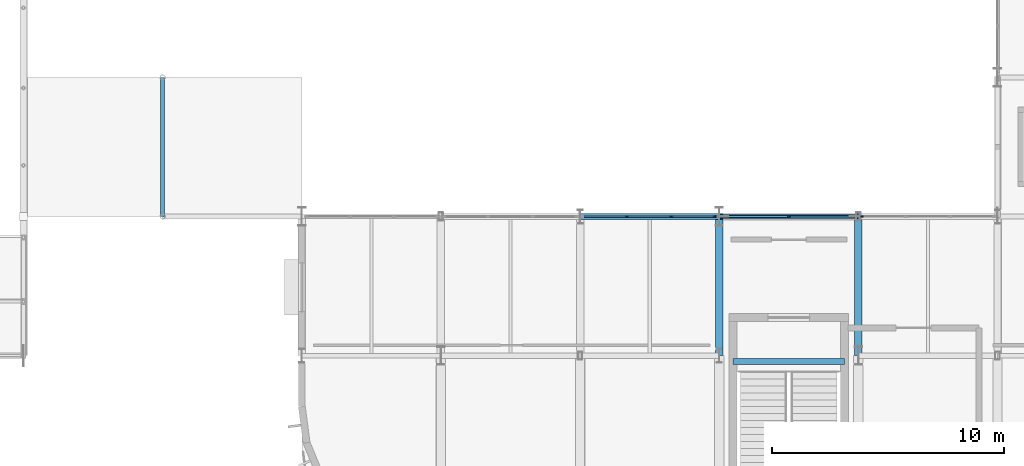
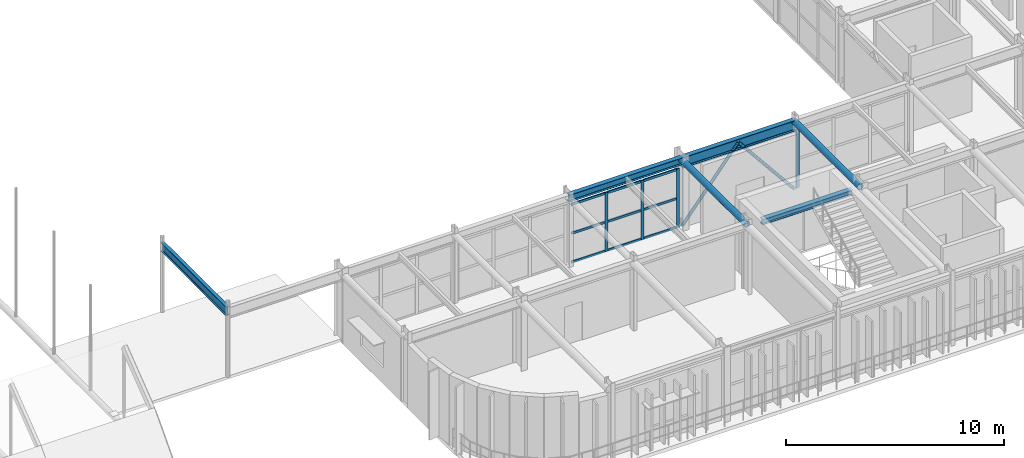
# One storey, part 58 of 116: 15 members, 6 beams, 2 elements without a shape of their own.
"""IFC4 building model written with IfcOpenShell, lengths in metres."""

import ifcopenshell
import ifcopenshell.guid

model = None  # the IFC model being written
_history = None  # IfcOwnerHistory: only IFC2X3 demands one
_inside = {}  # id of a spatial element -> (the spatial element, [elements in it])
_under = {}  # id of a project, library or spatial element -> (it, [spatial elements below it])
_declared = {}  # id of a project -> (the project, [libraries it declares])
_typed = {}  # id of a type object -> (the type object, [elements of that type])
_made_of = {}  # id of a material, layer set ... -> (it, [elements and type objects made of it])


def new_model(schema):
    """Start an empty IFC model of exactly this schema.

    Asked for "IFC4X3", IfcOpenShell would pick the latest addendum, in which some entities
    have other attributes; the version numbers below select the first issue.
    IFC2X3 requires an IfcOwnerHistory on every rooted entity: one is made here for all.
    """
    global model, _history
    if schema == "IFC4X3":
        model = ifcopenshell.file(schema_version=(4, 3, 0, 0))
    else:
        model = ifcopenshell.file(schema=schema)
    _inside.clear()
    _under.clear()
    _declared.clear()
    _typed.clear()
    _made_of.clear()
    _history = None
    if model.schema == "IFC2X3":
        org = make("IfcOrganization", Name="unknown")
        user = make(
            "IfcPersonAndOrganization",
            ThePerson=make("IfcPerson", FamilyName="unknown"),
            TheOrganization=org,
        )
        app = make(
            "IfcApplication",
            ApplicationDeveloper=org,
            Version="unknown",
            ApplicationFullName="unknown",
            ApplicationIdentifier="unknown",
        )
        _history = make(
            "IfcOwnerHistory",
            OwningUser=user,
            OwningApplication=app,
            ChangeAction="ADDED",
            CreationDate=0,
        )
    return model


def make(cls, **values):
    """One entity of the class cls with the attributes given. An attribute that is None is left unset."""
    return model.create_entity(
        cls, **{name: value for name, value in values.items() if value is not None}
    )


def rooted(cls, **values):
    """An entity with a GlobalId (a new one), such as an element, a storey or a relation."""
    return make(cls, GlobalId=ifcopenshell.guid.new(), OwnerHistory=_history, **values)


def si_unit(unit_type, name, prefix=None):
    """IfcSIUnit, for example si_unit("LENGTHUNIT", "METRE", prefix="MILLI")."""
    return make("IfcSIUnit", UnitType=unit_type, Prefix=prefix, Name=name)


def assignment(units):
    """IfcUnitAssignment: the units of a project."""
    return None if units is None else make("IfcUnitAssignment", Units=units)


def point(xyz):
    """IfcCartesianPoint."""
    return None if xyz is None else make("IfcCartesianPoint", Coordinates=xyz)


def direction(xyz):
    """IfcDirection."""
    return None if xyz is None else make("IfcDirection", DirectionRatios=xyz)


def frame(location, z_axis=None, x_axis=None):
    """IfcAxis2Placement3D, a coordinate frame: its origin and axes. An axis left out is left unset."""
    return make(
        "IfcAxis2Placement3D",
        Location=point(location),
        Axis=direction(z_axis),
        RefDirection=direction(x_axis),
    )


def frame_2d(location, x_axis=None):
    """IfcAxis2Placement2D, a coordinate frame in the plane: its origin and x axis."""
    return make(
        "IfcAxis2Placement2D", Location=point(location), RefDirection=direction(x_axis)
    )


def origin():
    """The frame at (0, 0, 0) with its axes left unset."""
    return frame((0.0, 0.0, 0.0))


def origin_2d():
    """The frame at (0, 0) in the plane with its x axis left unset."""
    return frame_2d((0.0, 0.0))


def place(relative_to, where):
    """IfcLocalPlacement: puts the frame where relative to a parent placement (None: the world)."""
    return make(
        "IfcLocalPlacement", PlacementRelTo=relative_to, RelativePlacement=where
    )


def context(
    kind, dimensions, precision=None, world=None, true_north=None, identifier=None
):
    """IfcGeometricRepresentationContext, for example the 3D "Model" context."""
    return make(
        "IfcGeometricRepresentationContext",
        ContextIdentifier=identifier,
        ContextType=kind,
        CoordinateSpaceDimension=dimensions,
        Precision=precision,
        WorldCoordinateSystem=world,
        TrueNorth=true_north,
    )


def subcontext(parent, identifier, kind, view, scale=None):
    """IfcGeometricRepresentationSubContext, for example "Body" below "Model"."""
    return make(
        "IfcGeometricRepresentationSubContext",
        ContextIdentifier=identifier,
        ContextType=kind,
        ParentContext=parent,
        TargetScale=scale,
        TargetView=view,
    )


def project(units=None, contexts=None):
    """IfcProject with its units and contexts."""
    return rooted(
        "IfcProject",
        Name="project",
        RepresentationContexts=contexts,
        UnitsInContext=assignment(units),
    )


def spatial(cls, under=None, at=None, **own):
    """A site, building, storey or space (cls), placed at a placement, below another one or the project."""
    s = rooted(cls, ObjectPlacement=at, **own)
    if under is not None:
        _under.setdefault(under.id(), (under, []))[1].append(s)
    return s


def profile(cls, at=None, kind="AREA", **sizes):
    """A parametric profile (cls). Its sizes go by their IFC names, for example OverallWidth=200.0."""
    return make(cls, ProfileType=kind, Position=at, **sizes)


def rectangle(**sizes):
    """IfcRectangleProfileDef."""
    return profile("IfcRectangleProfileDef", **sizes)


def hollow_circle(**sizes):
    """IfcCircleHollowProfileDef."""
    return profile("IfcCircleHollowProfileDef", **sizes)


def i_section(**sizes):
    """IfcIShapeProfileDef."""
    return profile("IfcIShapeProfileDef", **sizes)


def extrude(swept, where, along, depth):
    """IfcExtrudedAreaSolid: the profile swept, set in the frame where, extruded along a direction by depth."""
    return make(
        "IfcExtrudedAreaSolid",
        SweptArea=swept,
        Position=where,
        ExtrudedDirection=direction(along),
        Depth=depth,
    )


def shape(context_of_items, identifier, shape_type, items):
    """IfcShapeRepresentation: the items that make up one representation, for example the "Body"."""
    return make(
        "IfcShapeRepresentation",
        ContextOfItems=context_of_items,
        RepresentationIdentifier=identifier,
        RepresentationType=shape_type,
        Items=items,
    )


def material(Name=None, Category=None):
    """IfcMaterial."""
    return make("IfcMaterial", Name=Name, Category=Category)


def material_profile(
    of_material, cross_section, Name=None, Category=None, Priority=None
):
    """IfcMaterialProfile: a cross section and its material."""
    return make(
        "IfcMaterialProfile",
        Name=Name,
        Material=of_material,
        Profile=cross_section,
        Priority=Priority,
        Category=Category,
    )


def profile_set(profiles, Name=None, composite=None):
    """IfcMaterialProfileSet."""
    return make(
        "IfcMaterialProfileSet",
        Name=Name,
        MaterialProfiles=profiles,
        CompositeProfile=composite,
    )


def made_of(thing, what):
    """Note that an element or type object is made of a material, layer set ...; save() writes the relation."""
    if what is not None:
        _made_of.setdefault(what.id(), (what, []))[1].append(thing)
    return thing


def type_object(cls, material=None, **own):
    """A type object (cls), such as IfcWallType, which elements share."""
    return made_of(rooted(cls, **own), material)


def element(
    cls,
    number,
    at=None,
    inside=None,
    cuts=None,
    type_object=None,
    material=None,
    context=None,
    identifier="Body",
    shape_type=None,
    held_by="IfcProductDefinitionShape",
    body=None,
    shapes=None,
    **own,
):
    """One element of the class cls, such as IfcWall. Its Tag is "e" and its number.

    at: its placement. inside: the storey or other place that contains it. cuts: it is an
    opening in that element (IfcRelVoidsElement). A single representation is given by context,
    identifier, shape_type and body (its items); several are given by shapes. held_by: the class
    of the entity that holds the representations. save() writes the other relations.
    """
    e = rooted(cls, Tag="e%d" % number, ObjectPlacement=at, **own)
    if body is not None:
        shapes = [shape(context, identifier, shape_type, body)]
    if shapes is not None:
        e.Representation = make(held_by, Representations=shapes)
    if inside is not None:
        _inside.setdefault(inside.id(), (inside, []))[1].append(e)
    if cuts is not None:
        rooted(
            "IfcRelVoidsElement", RelatingBuildingElement=cuts, RelatedOpeningElement=e
        )
    if type_object is not None:
        _typed.setdefault(type_object.id(), (type_object, []))[1].append(e)
    return made_of(e, material)


def aggregate(whole, parts):
    """IfcRelAggregates: a whole, such as a stair, and the parts it consists of."""
    return rooted("IfcRelAggregates", RelatingObject=whole, RelatedObjects=parts)


def save(model, path):
    """Write the relations noted so far, then the file.

    IfcRelAggregates (storeys below a building ...), IfcRelContainedInSpatialStructure (elements
    in a storey), IfcRelDefinesByType, IfcRelAssociatesMaterial and IfcRelDeclares: one each for
    every whole, place, type object, material and project.
    """
    for whole, parts in _under.values():
        aggregate(whole, parts)
    for where, things in _inside.values():
        rooted(
            "IfcRelContainedInSpatialStructure",
            RelatedElements=things,
            RelatingStructure=where,
        )
    for kind, things in _typed.values():
        rooted("IfcRelDefinesByType", RelatedObjects=things, RelatingType=kind)
    for what, things in _made_of.values():
        rooted("IfcRelAssociatesMaterial", RelatedObjects=things, RelatingMaterial=what)
    for by, libraries in _declared.values():
        rooted("IfcRelDeclares", RelatingContext=by, RelatedDefinitions=libraries)
    model.write(path)


model = new_model("IFC4")

# Units and contexts
model_context = context("Model", 3, precision=1e-05, world=origin(), true_north=direction((0.0, 1.0)))
body_context = subcontext(model_context, "Body", "Model", "MODEL_VIEW")
ifc_project = project(units=[si_unit("LENGTHUNIT", "METRE"), si_unit("AREAUNIT", "SQUARE_METRE"), si_unit("VOLUMEUNIT", "CUBIC_METRE"), si_unit("PLANEANGLEUNIT", "RADIAN"), si_unit("MASSUNIT", "GRAM", prefix="KILO")], contexts=[model_context])

# Site, building, storey
site_placement = place(None, origin())
site = spatial("IfcSite", under=ifc_project, at=site_placement, CompositionType="ELEMENT")
building_placement = place(site_placement, origin())
building = spatial("IfcBuilding", under=site, at=building_placement, Name="Varnakota Square Police Headquarters", CompositionType="ELEMENT")
storey_placement = place(building_placement, frame((0.0, 0.0, 9.300048828125)))
storey = spatial("IfcBuildingStorey", under=building, at=storey_placement, Name="L02", CompositionType="ELEMENT", Elevation=9.300048828125)

# Beams
ifc_material_1 = material(Name="Steel IS 2062 Grade 350", Category="steel")
ifc_material_profile_1 = material_profile(ifc_material_1, hollow_circle(Radius=0.161865234375, WallThickness=0.0126953125, at=origin_2d()), Name="CHS 323.9x12.7")
ifc_profile_set_1 = profile_set([ifc_material_profile_1], Name="Steel IS 2062 Grade 350")
beam_type_1 = type_object("IfcBeamType", Name="BM-ARC-CHS324", PredefinedType="BEAM", material=ifc_profile_set_1)
for number, where, z_axis, x_axis, name in (
    (1, (126.0, 9.0, 3.738037109375), (0.0, 1.0, 0.0), (-1.0, 0.0, 0.0), "BMG-L02-2253"),
    (2, (132.0, 9.0, 3.738037109375), (0.0, 1.0, 0.0), (-1.0, 0.0, 0.0), "BMG-L02-2259"),
):
    element("IfcBeam", number, at=place(storey_placement, frame(where, z_axis=z_axis, x_axis=x_axis)), inside=storey, type_object=beam_type_1, Name=name, PredefinedType="BEAM", context=body_context, shape_type="SweptSolid", body=[
        extrude(hollow_circle(Radius=0.161865234375, WallThickness=0.0126953125, at=origin_2d()), origin(), (0.0, 0.0, 1.0), 6.0),
    ])
ifc_material_profile_2 = material_profile(ifc_material_1, i_section(OverallWidth=0.25, OverallDepth=0.300048828125, WebThickness=0.009521484375, FlangeThickness=0.010498046875, FilletRadius=0.011962890625, at=origin_2d()), Name="ISHB 300")
ifc_profile_set_2 = profile_set([ifc_material_profile_2], Name="Steel IS 2062 Grade 350")
beam_type_2 = type_object("IfcBeamType", Name="BM-ISHB300", PredefinedType="BEAM", material=ifc_profile_set_2)
beam_1_placement = place(storey_placement, frame((126.60009765625, 8.75, 3.849853515625), z_axis=(1.0, 0.0, 0.0), x_axis=(0.0, 1.0, 0.0)))
element("IfcBeam", 3, at=beam_1_placement, inside=storey, type_object=beam_type_2, Name="Stair landing support beam BM-LND-0007", PredefinedType="BEAM", context=body_context, shape_type="SweptSolid", body=[
    extrude(i_section(OverallWidth=0.25, OverallDepth=0.300048828125, WebThickness=0.009521484375, FlangeThickness=0.010498046875, FilletRadius=0.011962890625, at=origin_2d()), origin(), (0.0, 0.0, 1.0), 4.7998046875),
])
ifc_material_profile_3 = material_profile(ifc_material_1, i_section(OverallWidth=0.25, OverallDepth=0.39990234375, WebThickness=0.010498046875, FlangeThickness=0.0126953125, FilletRadius=0.013916015625, at=origin_2d()), Name="ISHB 400")
ifc_profile_set_3 = profile_set([ifc_material_profile_3], Name="Steel IS 2062 Grade 350")
beam_type_3 = type_object("IfcBeamType", Name="BM-ISHB400", PredefinedType="BEAM", material=ifc_profile_set_3)
beam_2_placement = place(storey_placement, frame((120.0, 15.0, 3.699951171875), z_axis=(1.0, 0.0, 0.0), x_axis=(0.0, 1.0, 0.0)))
element("IfcBeam", 4, at=beam_2_placement, inside=storey, type_object=beam_type_3, Name="BMG-L02-1934", PredefinedType="BEAM", context=body_context, shape_type="SweptSolid", body=[
    extrude(i_section(OverallWidth=0.25, OverallDepth=0.39990234375, WebThickness=0.010498046875, FlangeThickness=0.0126953125, FilletRadius=0.013916015625, at=origin_2d()), origin(), (0.0, 0.0, 1.0), 6.0),
])
ifc_material_profile_4 = material_profile(ifc_material_1, i_section(OverallWidth=0.179931640625, OverallDepth=0.5, WebThickness=0.01025390625, FlangeThickness=0.01708984375, FilletRadius=0.01708984375, at=origin_2d()), Name="ISMB 500")
ifc_profile_set_4 = profile_set([ifc_material_profile_4], Name="Steel IS 2062 Grade 350")
beam_type_4 = type_object("IfcBeamType", Name="BM-ISMB500", PredefinedType="BEAM", material=ifc_profile_set_4)
beam_3_placement = place(storey_placement, frame((102.0, 15.0, 3.64990234375), z_axis=(0.0, 1.0, 0.0), x_axis=(-1.0, 0.0, 0.0)))
element("IfcBeam", 5, at=beam_3_placement, inside=storey, type_object=beam_type_4, Name="BMG-L02-2230", PredefinedType="BEAM", context=body_context, shape_type="SweptSolid", body=[
    extrude(i_section(OverallWidth=0.179931640625, OverallDepth=0.5, WebThickness=0.01025390625, FlangeThickness=0.01708984375, FilletRadius=0.01708984375, at=origin_2d()), origin(), (0.0, 0.0, 1.0), 6.0),
])
ifc_material_profile_5 = material_profile(ifc_material_1, i_section(OverallWidth=0.25, OverallDepth=0.60009765625, WebThickness=0.01171875, FlangeThickness=0.023681640625, FilletRadius=0.01708984375, at=origin_2d()), Name="ISWB 600")
ifc_profile_set_5 = profile_set([ifc_material_profile_5], Name="Steel IS 2062 Grade 350")
beam_type_5 = type_object("IfcBeamType", Name="BM-ISWB600", PredefinedType="BEAM", material=ifc_profile_set_5)
beam_4_placement = place(storey_placement, frame((126.0, 15.0, 3.599853515625), z_axis=(1.0, 0.0, 0.0), x_axis=(0.0, 1.0, 0.0)))
element("IfcBeam", 6, at=beam_4_placement, inside=storey, type_object=beam_type_5, Name="BMG-L02-1935", PredefinedType="BEAM", context=body_context, shape_type="SweptSolid", body=[
    extrude(i_section(OverallWidth=0.25, OverallDepth=0.60009765625, WebThickness=0.01171875, FlangeThickness=0.023681640625, FilletRadius=0.01708984375, at=origin_2d()), origin(), (0.0, 0.0, 1.0), 6.0),
])

# Curtain wall, members
ifc_material_2 = material(Name="Anodised Aluminium Framing", Category="aluminium")
curtain_wall_type = type_object("IfcCurtainWallType", Name="CW-SYS-D", PredefinedType="NOTDEFINED", material=ifc_material_2)
curtain_wall_1_placement = place(storey_placement, origin())
curtain_wall_1 = element("IfcCurtainWall", 7, at=curtain_wall_1_placement, inside=storey, type_object=curtain_wall_type, Name="Unitised curtain wall CWG-L02-071", PredefinedType="NOTDEFINED")
ifc_material_3 = material(Name="Anodised Aluminium 6063-T6", Category="aluminium")
ifc_material_profile_6 = material_profile(ifc_material_3, rectangle(XDim=0.06494140625, YDim=0.159912109375, at=origin_2d()), Name="ALU MULLION 65x160")
ifc_profile_set_6 = profile_set([ifc_material_profile_6], Name="Anodised Aluminium 6063-T6")
member_type_1 = type_object("IfcMemberType", Name="CWM-150", PredefinedType="MULLION", material=ifc_profile_set_6)
member_1_placement = place(storey_placement, frame((122.018310546875, 15.0, 0.0), z_axis=(0.0, 0.0, 1.0), x_axis=(0.0, 1.0, 0.0)))
member_1 = element("IfcMember", 8, at=member_1_placement, type_object=member_type_1, Name="CWG-L02-071 mullion 2", PredefinedType="MULLION", context=body_context, shape_type="SweptSolid", body=[
    extrude(rectangle(XDim=0.06494140625, YDim=0.159912109375, at=origin_2d()), origin(), (0.0, 0.0, 1.0), 3.2900390625),
])
member_2_placement = place(storey_placement, frame((123.9267578125, 15.0, 0.0), z_axis=(0.0, 0.0, 1.0), x_axis=(0.0, 1.0, 0.0)))
member_2 = element("IfcMember", 9, at=member_2_placement, type_object=member_type_1, Name="CWG-L02-071 mullion 3", PredefinedType="MULLION", context=body_context, shape_type="SweptSolid", body=[
    extrude(rectangle(XDim=0.06494140625, YDim=0.159912109375, at=origin_2d()), origin(), (0.0, 0.0, 1.0), 3.2900390625),
])
member_3_placement = place(storey_placement, frame((125.802490234375, 15.0, 0.0), z_axis=(0.0, 0.0, 1.0), x_axis=(0.0, 1.0, 0.0)))
member_3 = element("IfcMember", 10, at=member_3_placement, type_object=member_type_1, Name="CWG-L02-071 mullion 4", PredefinedType="MULLION", context=body_context, shape_type="SweptSolid", body=[
    extrude(rectangle(XDim=0.06494140625, YDim=0.159912109375, at=origin_2d()), origin(), (0.0, 0.0, 1.0), 3.2900390625),
])

# Curtain wall, member
curtain_wall_2_placement = place(storey_placement, origin())
curtain_wall_2 = element("IfcCurtainWall", 11, at=curtain_wall_2_placement, inside=storey, type_object=curtain_wall_type, Name="Unitised curtain wall CWG-L02-072", PredefinedType="NOTDEFINED")
member_4_placement = place(storey_placement, frame((132.137451171875, 15.0, 0.0), z_axis=(0.0, 0.0, 1.0), x_axis=(0.0, 1.0, 0.0)))
member_4 = element("IfcMember", 12, at=member_4_placement, type_object=member_type_1, Name="CWG-L02-072 mullion 1", PredefinedType="MULLION", context=body_context, shape_type="SweptSolid", body=[
    extrude(rectangle(XDim=0.06494140625, YDim=0.159912109375, at=origin_2d()), origin(), (0.0, 0.0, 1.0), 3.2900390625),
])
aggregate(curtain_wall_2, [member_4])

# Member
ifc_material_profile_7 = material_profile(ifc_material_3, rectangle(XDim=0.06494140625, YDim=0.1298828125, at=origin_2d()), Name="ALU TRANSOM 65x130")
ifc_profile_set_7 = profile_set([ifc_material_profile_7], Name="Anodised Aluminium 6063-T6")
member_type_2 = type_object("IfcMemberType", Name="CWT-120", PredefinedType="USERDEFINED", material=ifc_profile_set_7)
member_5_placement = place(storey_placement, frame((120.175048828125, 15.0, 0.032470703125), z_axis=(1.0, 0.0, 0.0), x_axis=(0.0, 1.0, 0.0)))
member_5 = element("IfcMember", 13, at=member_5_placement, type_object=member_type_2, Name="CWG-L02-071 transom 1.1", ObjectType="TRANSOM", PredefinedType="USERDEFINED", context=body_context, shape_type="SweptSolid", body=[
    extrude(rectangle(XDim=0.06494140625, YDim=0.1298828125, at=origin_2d()), origin(), (0.0, 0.0, 1.0), 1.810791015625),
])

member_6_placement = place(storey_placement, frame((120.175048828125, 15.0, 1.64501953125), z_axis=(1.0, 0.0, 0.0), x_axis=(0.0, 1.0, 0.0)))
member_6 = element("IfcMember", 14, at=member_6_placement, type_object=member_type_2, Name="CWG-L02-071 transom 1.2", ObjectType="TRANSOM", PredefinedType="USERDEFINED", context=body_context, shape_type="SweptSolid", body=[
    extrude(rectangle(XDim=0.06494140625, YDim=0.1298828125, at=origin_2d()), origin(), (0.0, 0.0, 1.0), 1.810791015625),
])

member_7_placement = place(storey_placement, frame((120.175048828125, 15.0, 3.257568359375), z_axis=(1.0, 0.0, 0.0), x_axis=(0.0, 1.0, 0.0)))
member_7 = element("IfcMember", 15, at=member_7_placement, type_object=member_type_2, Name="CWG-L02-071 transom 1.3", ObjectType="TRANSOM", PredefinedType="USERDEFINED", context=body_context, shape_type="SweptSolid", body=[
    extrude(rectangle(XDim=0.06494140625, YDim=0.1298828125, at=origin_2d()), origin(), (0.0, 0.0, 1.0), 1.810791015625),
])

member_8_placement = place(storey_placement, frame((122.05078125, 15.0, 0.032470703125), z_axis=(1.0, 0.0, 0.0), x_axis=(0.0, 1.0, 0.0)))
member_8 = element("IfcMember", 16, at=member_8_placement, type_object=member_type_2, Name="CWG-L02-071 transom 2.1", ObjectType="TRANSOM", PredefinedType="USERDEFINED", context=body_context, shape_type="SweptSolid", body=[
    extrude(rectangle(XDim=0.06494140625, YDim=0.1298828125, at=origin_2d()), origin(), (0.0, 0.0, 1.0), 1.843505859375),
])

member_9_placement = place(storey_placement, frame((122.05078125, 15.0, 1.64501953125), z_axis=(1.0, 0.0, 0.0), x_axis=(0.0, 1.0, 0.0)))
member_9 = element("IfcMember", 17, at=member_9_placement, type_object=member_type_2, Name="CWG-L02-071 transom 2.2", ObjectType="TRANSOM", PredefinedType="USERDEFINED", context=body_context, shape_type="SweptSolid", body=[
    extrude(rectangle(XDim=0.06494140625, YDim=0.1298828125, at=origin_2d()), origin(), (0.0, 0.0, 1.0), 1.843505859375),
])

member_10_placement = place(storey_placement, frame((122.05078125, 15.0, 3.257568359375), z_axis=(1.0, 0.0, 0.0), x_axis=(0.0, 1.0, 0.0)))
member_10 = element("IfcMember", 18, at=member_10_placement, type_object=member_type_2, Name="CWG-L02-071 transom 2.3", ObjectType="TRANSOM", PredefinedType="USERDEFINED", context=body_context, shape_type="SweptSolid", body=[
    extrude(rectangle(XDim=0.06494140625, YDim=0.1298828125, at=origin_2d()), origin(), (0.0, 0.0, 1.0), 1.843505859375),
])

member_11_placement = place(storey_placement, frame((123.959228515625, 15.0, 0.032470703125), z_axis=(1.0, 0.0, 0.0), x_axis=(0.0, 1.0, 0.0)))
member_11 = element("IfcMember", 19, at=member_11_placement, type_object=member_type_2, Name="CWG-L02-071 transom 3.1", ObjectType="TRANSOM", PredefinedType="USERDEFINED", context=body_context, shape_type="SweptSolid", body=[
    extrude(rectangle(XDim=0.06494140625, YDim=0.1298828125, at=origin_2d()), origin(), (0.0, 0.0, 1.0), 1.810791015625),
])

member_12_placement = place(storey_placement, frame((123.959228515625, 15.0, 1.64501953125), z_axis=(1.0, 0.0, 0.0), x_axis=(0.0, 1.0, 0.0)))
member_12 = element("IfcMember", 20, at=member_12_placement, type_object=member_type_2, Name="CWG-L02-071 transom 3.2", ObjectType="TRANSOM", PredefinedType="USERDEFINED", context=body_context, shape_type="SweptSolid", body=[
    extrude(rectangle(XDim=0.06494140625, YDim=0.1298828125, at=origin_2d()), origin(), (0.0, 0.0, 1.0), 1.810791015625),
])

member_13_placement = place(storey_placement, frame((123.959228515625, 15.0, 3.257568359375), z_axis=(1.0, 0.0, 0.0), x_axis=(0.0, 1.0, 0.0)))
member_13 = element("IfcMember", 21, at=member_13_placement, type_object=member_type_2, Name="CWG-L02-071 transom 3.3", ObjectType="TRANSOM", PredefinedType="USERDEFINED", context=body_context, shape_type="SweptSolid", body=[
    extrude(rectangle(XDim=0.06494140625, YDim=0.1298828125, at=origin_2d()), origin(), (0.0, 0.0, 1.0), 1.810791015625),
])

aggregate(curtain_wall_1, [member_1, member_2, member_3, member_5, member_6, member_7, member_8, member_9, member_10, member_11, member_12, member_13])

# Members
ifc_material_profile_8 = material_profile(ifc_material_1, hollow_circle(Radius=0.08251953125, WallThickness=0.006103515625, at=origin_2d()), Name="CHS 165.1x6.0")
ifc_profile_set_8 = profile_set([ifc_material_profile_8], Name="Steel IS 2062 Grade 350")
member_type_3 = type_object("IfcMemberType", Name="MEM-BR-CHS165", PredefinedType="BRACE", material=ifc_profile_set_8)
for number, where, z_axis, x_axis, name in (
    (22, (126.050048828125, 15.0, 0.02001953125), (0.630679081609, 0.0, 0.776043746203), (0.0, 1.0, 0.0), "Lateral brace BF1 L02 left"),
    (23, (131.949951171875, 15.0, 0.02001953125), (-0.630679081609, 0.0, 0.776043746203), (0.0, -1.0, 0.0), "Lateral brace BF1 L02 right"),
):
    element("IfcMember", number, at=place(storey_placement, frame(where, z_axis=z_axis, x_axis=x_axis)), inside=storey, type_object=member_type_3, Name=name, PredefinedType="BRACE", context=body_context, shape_type="SweptSolid", body=[
        extrude(hollow_circle(Radius=0.08251953125, WallThickness=0.006103515625, at=origin_2d()), origin(), (0.0, 0.0, 1.0), 4.677490234375),
    ])

save(model, "model.ifc")
